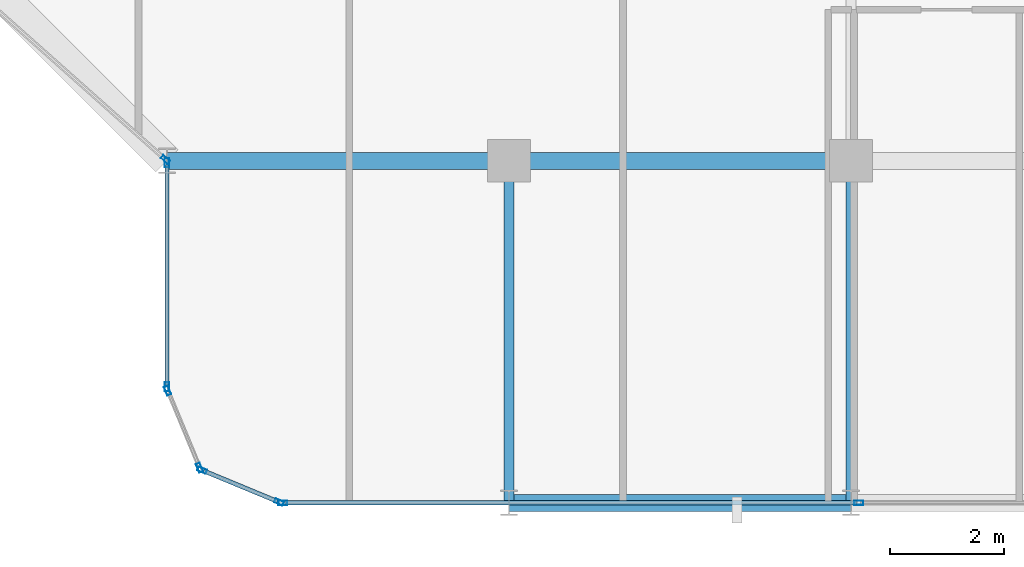
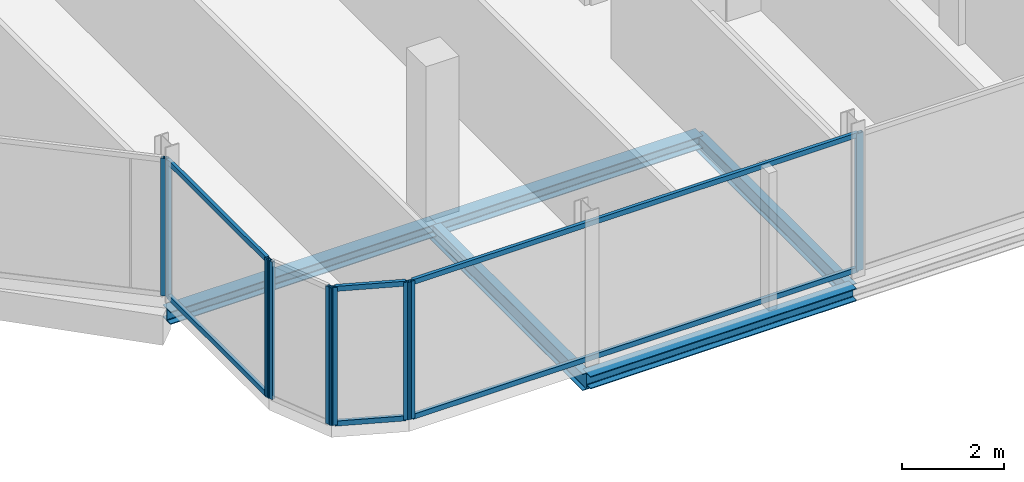
# One storey, part 6 of 28: 15 members, 5 beams, 5 elements without a shape of their own.
"""IFC4 building model written with IfcOpenShell, lengths in metres."""

from ifc_helpers import new_model, si_unit, direction, frame, origin, origin_2d, place, context, subcontext, project, spatial, hollow_rectangle, i_section, extrude, material, layer, layer_set, material_profile, profile_set, type_object, element, aggregate, save


model = new_model("IFC4")

# Units and contexts
model_context = context("Model", 3, precision=1e-05, world=origin(), true_north=direction((0.0, 1.0)))
body_context = subcontext(model_context, "Body", "Model", "MODEL_VIEW")
ifc_project = project(units=[si_unit("LENGTHUNIT", "METRE"), si_unit("AREAUNIT", "SQUARE_METRE"), si_unit("VOLUMEUNIT", "CUBIC_METRE"), si_unit("PLANEANGLEUNIT", "RADIAN"), si_unit("MASSUNIT", "GRAM", prefix="KILO")], contexts=[model_context])

# Site, building, storey
site_placement = place(None, origin())
site = spatial("IfcSite", under=ifc_project, at=site_placement, CompositionType="ELEMENT")
building_placement = place(site_placement, origin())
building = spatial("IfcBuilding", under=site, at=building_placement, Name="Keshet Zoharim Tower", CompositionType="ELEMENT")
storey_placement = place(building_placement, frame((0.0, 0.0, 233.89990234375)))
storey = spatial("IfcBuildingStorey", under=building, at=storey_placement, Name="L58", CompositionType="ELEMENT", Elevation=233.89990234375)

# Beams
ifc_material_1 = material(Name="Steel S355", Category="steel")
ifc_material_profile_1 = material_profile(ifc_material_1, i_section(OverallWidth=0.300048828125, OverallDepth=0.300048828125, WebThickness=0.010986328125, FlangeThickness=0.01904296875, FilletRadius=0.027099609375, at=origin_2d()), Name="HEB300")
ifc_profile_set_1 = profile_set([ifc_material_profile_1], Name="Steel S355")
beam_type_1 = type_object("IfcBeamType", Name="BM-PRI-HB300", PredefinedType="BEAM", material=ifc_profile_set_1)
for number, where, z_axis, x_axis, name in (
    (1, (27.0, 0.699951171875, -0.4599609375), (1.0, 0.0, 0.0), (0.0, 1.0, 0.0), "L58 Primary Girder X-001"),
    (2, (21.0, 6.699951171875, -0.4599609375), (1.0, 0.0, 0.0), (0.0, 1.0, 0.0), "L58 Primary Girder X-005"),
    (3, (27.0, 6.699951171875, -0.4599609375), (1.0, 0.0, 0.0), (0.0, 1.0, 0.0), "L58 Primary Girder X-006"),
):
    element("IfcBeam", number, at=place(storey_placement, frame(where, z_axis=z_axis, x_axis=x_axis)), inside=storey, type_object=beam_type_1, Name=name, PredefinedType="BEAM", context=body_context, shape_type="SweptSolid", body=[
        extrude(i_section(OverallWidth=0.300048828125, OverallDepth=0.300048828125, WebThickness=0.010986328125, FlangeThickness=0.01904296875, FilletRadius=0.027099609375, at=origin_2d()), origin(), (0.0, 0.0, 1.0), 6.0),
    ])
ifc_material_profile_2 = material_profile(ifc_material_1, i_section(OverallWidth=0.179931640625, OverallDepth=0.39990234375, WebThickness=0.008544921875, FlangeThickness=0.013427734375, FilletRadius=0.02099609375, at=origin_2d()), Name="IPE400")
ifc_profile_set_2 = profile_set([ifc_material_profile_2], Name="Steel S355")
beam_type_2 = type_object("IfcBeamType", Name="BM-PRI-IP400", PredefinedType="BEAM", material=ifc_profile_set_2)
for number, where, z_axis, x_axis, name in (
    (4, (27.0, 0.699951171875, -0.510009765625), (0.0, 1.0, 0.0), (-1.0, 0.0, 0.0), "L58 Primary Girder Y-004"),
    (5, (33.0, 0.699951171875, -0.510009765625), (0.0, 1.0, 0.0), (-1.0, 0.0, 0.0), "L58 Primary Girder Y-005"),
):
    element("IfcBeam", number, at=place(storey_placement, frame(where, z_axis=z_axis, x_axis=x_axis)), inside=storey, type_object=beam_type_2, Name=name, PredefinedType="BEAM", context=body_context, shape_type="SweptSolid", body=[
        extrude(i_section(OverallWidth=0.179931640625, OverallDepth=0.39990234375, WebThickness=0.008544921875, FlangeThickness=0.013427734375, FilletRadius=0.02099609375, at=origin_2d()), origin(), (0.0, 0.0, 1.0), 6.0),
    ])

# Curtain wall, members
ifc_material_2 = material(Name="Aluminium 6063-T6", Category="aluminium")
ifc_layer = layer(ifc_material_2, 0.139892578125)
ifc_layer_set = layer_set([ifc_layer], Name="Aluminium 6063-T6")
curtain_wall_type = type_object("IfcCurtainWallType", Name="CW-SYS-05", PredefinedType="NOTDEFINED", material=ifc_layer_set)
curtain_wall_1_placement = place(storey_placement, origin())
curtain_wall_1 = element("IfcCurtainWall", 6, at=curtain_wall_1_placement, inside=storey, type_object=curtain_wall_type, Name="L58 Unitised Curtain Wall 06 Part 3", PredefinedType="NOTDEFINED")
ifc_material_profile_3 = material_profile(ifc_material_2, hollow_rectangle(XDim=0.074951171875, YDim=0.159912109375, WallThickness=0.00390625, at=origin_2d()), Name="MUL-75x160")
ifc_profile_set_3 = profile_set([ifc_material_profile_3], Name="Aluminium 6063-T6")
member_type_1 = type_object("IfcMemberType", Name="CWM-M15", PredefinedType="MULLION", material=ifc_profile_set_3)
member_1_placement = place(storey_placement, frame((33.137939453125, 0.699951171875, 0.0), z_axis=(0.0, 0.0, 1.0), x_axis=(0.0, -1.0, 0.0)))
member_1 = element("IfcMember", 7, at=member_1_placement, type_object=member_type_1, Name="CW-05 mullion 2", PredefinedType="MULLION", context=body_context, shape_type="SweptSolid", body=[
    extrude(hollow_rectangle(XDim=0.074951171875, YDim=0.159912109375, WallThickness=0.00390625, at=origin_2d()), origin(), (0.0, 0.0, 1.0), 3.280029296875),
])
member_2_placement = place(storey_placement, frame((23.034912109375, 0.699951171875, 0.0), z_axis=(0.0, 0.0, 1.0), x_axis=(0.0, -1.0, 0.0)))
member_2 = element("IfcMember", 8, at=member_2_placement, type_object=member_type_1, Name="CW-05 mullion 3", PredefinedType="MULLION", context=body_context, shape_type="SweptSolid", body=[
    extrude(hollow_rectangle(XDim=0.074951171875, YDim=0.159912109375, WallThickness=0.00390625, at=origin_2d()), origin(), (0.0, 0.0, 1.0), 3.280029296875),
])

curtain_wall_2_placement = place(storey_placement, origin())
curtain_wall_2 = element("IfcCurtainWall", 9, at=curtain_wall_2_placement, inside=storey, type_object=curtain_wall_type, Name="L58 Unitised Curtain Wall 07", PredefinedType="NOTDEFINED")
member_3_placement = place(storey_placement, frame((22.9677734375, 0.71337890625, 0.0), z_axis=(0.0, 0.0, 1.0), x_axis=(-0.382851849847, -0.92380975372, 0.0)))
member_3 = element("IfcMember", 10, at=member_3_placement, type_object=member_type_1, Name="CW-05 mullion 1", PredefinedType="MULLION", context=body_context, shape_type="SweptSolid", body=[
    extrude(hollow_rectangle(XDim=0.074951171875, YDim=0.159912109375, WallThickness=0.00390625, at=origin_2d()), origin(), (0.0, 0.0, 1.0), 3.280029296875),
])
member_4_placement = place(storey_placement, frame((21.618408203125, 1.272705078125, 0.0), z_axis=(0.0, 0.0, 1.0), x_axis=(-0.382851849847, -0.92380975372, 0.0)))
member_4 = element("IfcMember", 11, at=member_4_placement, type_object=member_type_1, Name="CW-05 mullion 2", PredefinedType="MULLION", context=body_context, shape_type="SweptSolid", body=[
    extrude(hollow_rectangle(XDim=0.074951171875, YDim=0.159912109375, WallThickness=0.00390625, at=origin_2d()), origin(), (0.0, 0.0, 1.0), 3.280029296875),
])

curtain_wall_3_placement = place(storey_placement, origin())
curtain_wall_3 = element("IfcCurtainWall", 12, at=curtain_wall_3_placement, inside=storey, type_object=curtain_wall_type, Name="L58 Unitised Curtain Wall 08", PredefinedType="NOTDEFINED")
member_5_placement = place(storey_placement, frame((21.572509765625, 1.318359375, 0.0), z_axis=(0.0, 0.0, 1.0), x_axis=(-0.92380975372, -0.382851849847, 0.0)))
member_5 = element("IfcMember", 13, at=member_5_placement, type_object=member_type_1, Name="CW-05 mullion 1", PredefinedType="MULLION", context=body_context, shape_type="SweptSolid", body=[
    extrude(hollow_rectangle(XDim=0.074951171875, YDim=0.159912109375, WallThickness=0.00390625, at=origin_2d()), origin(), (0.0, 0.0, 1.0), 3.280029296875),
])
member_6_placement = place(storey_placement, frame((21.013427734375, 2.667724609375, 0.0), z_axis=(0.0, 0.0, 1.0), x_axis=(-0.92380975372, -0.382851849847, 0.0)))
member_6 = element("IfcMember", 14, at=member_6_placement, type_object=member_type_1, Name="CW-05 mullion 2", PredefinedType="MULLION", context=body_context, shape_type="SweptSolid", body=[
    extrude(hollow_rectangle(XDim=0.074951171875, YDim=0.159912109375, WallThickness=0.00390625, at=origin_2d()), origin(), (0.0, 0.0, 1.0), 3.280029296875),
])
aggregate(curtain_wall_3, [member_5, member_6])

curtain_wall_4_placement = place(storey_placement, origin())
curtain_wall_4 = element("IfcCurtainWall", 15, at=curtain_wall_4_placement, inside=storey, type_object=curtain_wall_type, Name="L58 Unitised Curtain Wall 09", PredefinedType="NOTDEFINED")
member_7_placement = place(storey_placement, frame((21.0, 2.735107421875, 0.0), z_axis=(0.0, 0.0, 1.0), x_axis=(-1.0, 0.0, 0.0)))
member_7 = element("IfcMember", 16, at=member_7_placement, type_object=member_type_1, Name="CW-05 mullion 1", PredefinedType="MULLION", context=body_context, shape_type="SweptSolid", body=[
    extrude(hollow_rectangle(XDim=0.074951171875, YDim=0.159912109375, WallThickness=0.00390625, at=origin_2d()), origin(), (0.0, 0.0, 1.0), 3.280029296875),
])
member_8_placement = place(storey_placement, frame((21.0, 6.6650390625, 0.0), z_axis=(0.0, 0.0, 1.0), x_axis=(-1.0, 0.0, 0.0)))
member_8 = element("IfcMember", 17, at=member_8_placement, type_object=member_type_1, Name="CW-05 mullion 2", PredefinedType="MULLION", context=body_context, shape_type="SweptSolid", body=[
    extrude(hollow_rectangle(XDim=0.074951171875, YDim=0.159912109375, WallThickness=0.00390625, at=origin_2d()), origin(), (0.0, 0.0, 1.0), 3.280029296875),
])

# Curtain wall, member
curtain_wall_5_placement = place(storey_placement, origin())
curtain_wall_5 = element("IfcCurtainWall", 18, at=curtain_wall_5_placement, inside=storey, type_object=curtain_wall_type, Name="L58 Unitised Curtain Wall 10", PredefinedType="NOTDEFINED")
member_9_placement = place(storey_placement, frame((20.973876953125, 6.72314453125, 0.0), z_axis=(0.0, 0.0, 1.0), x_axis=(-0.664366849455, -0.747406642562, 0.0)))
member_9 = element("IfcMember", 19, at=member_9_placement, type_object=member_type_1, Name="CW-05 mullion 1", PredefinedType="MULLION", context=body_context, shape_type="SweptSolid", body=[
    extrude(hollow_rectangle(XDim=0.074951171875, YDim=0.159912109375, WallThickness=0.00390625, at=origin_2d()), origin(), (0.0, 0.0, 1.0), 3.280029296875),
])
aggregate(curtain_wall_5, [member_9])

# Member
ifc_material_profile_4 = material_profile(ifc_material_2, hollow_rectangle(XDim=0.074951171875, YDim=0.1201171875, WallThickness=0.00390625, at=origin_2d()), Name="TRN-75x120")
ifc_profile_set_4 = profile_set([ifc_material_profile_4], Name="Aluminium 6063-T6")
member_type_2 = type_object("IfcMemberType", Name="CWT-T12", PredefinedType="USERDEFINED", material=ifc_profile_set_4)
member_10_placement = place(storey_placement, frame((33.10302734375, 0.699951171875, 0.03515625), z_axis=(-1.0, 0.0, 0.0), x_axis=(0.0, -1.0, 0.0)))
member_10 = element("IfcMember", 20, at=member_10_placement, type_object=member_type_2, Name="CW-05 transom 2.1", ObjectType="TRANSOM", PredefinedType="USERDEFINED", context=body_context, shape_type="SweptSolid", body=[
    extrude(hollow_rectangle(XDim=0.074951171875, YDim=0.1201171875, WallThickness=0.00390625, at=origin_2d()), origin(), (0.0, 0.0, 1.0), 10.032958984375),
])

member_11_placement = place(storey_placement, frame((33.10302734375, 0.699951171875, 3.2451171875), z_axis=(-1.0, 0.0, 0.0), x_axis=(0.0, -1.0, 0.0)))
member_11 = element("IfcMember", 21, at=member_11_placement, type_object=member_type_2, Name="CW-05 transom 2.2", ObjectType="TRANSOM", PredefinedType="USERDEFINED", context=body_context, shape_type="SweptSolid", body=[
    extrude(hollow_rectangle(XDim=0.074951171875, YDim=0.1201171875, WallThickness=0.00390625, at=origin_2d()), origin(), (0.0, 0.0, 1.0), 10.032958984375),
])

aggregate(curtain_wall_1, [member_1, member_2, member_10, member_11])

member_12_placement = place(storey_placement, frame((22.935302734375, 0.726806640625, 0.03515625), z_axis=(-0.92379209995, 0.382894445076, 0.0), x_axis=(-0.382894445076, -0.92379209995, 0.0)))
member_12 = element("IfcMember", 22, at=member_12_placement, type_object=member_type_2, Name="CW-05 transom 1.1", ObjectType="TRANSOM", PredefinedType="USERDEFINED", context=body_context, shape_type="SweptSolid", body=[
    extrude(hollow_rectangle(XDim=0.074951171875, YDim=0.1201171875, WallThickness=0.00390625, at=origin_2d()), origin(), (0.0, 0.0, 1.0), 1.390625),
])

member_13_placement = place(storey_placement, frame((22.935302734375, 0.726806640625, 3.2451171875), z_axis=(-0.92379209995, 0.382894445076, 0.0), x_axis=(-0.382894445076, -0.92379209995, 0.0)))
member_13 = element("IfcMember", 23, at=member_13_placement, type_object=member_type_2, Name="CW-05 transom 1.2", ObjectType="TRANSOM", PredefinedType="USERDEFINED", context=body_context, shape_type="SweptSolid", body=[
    extrude(hollow_rectangle(XDim=0.074951171875, YDim=0.1201171875, WallThickness=0.00390625, at=origin_2d()), origin(), (0.0, 0.0, 1.0), 1.390625),
])

aggregate(curtain_wall_2, [member_3, member_4, member_12, member_13])

member_14_placement = place(storey_placement, frame((21.0, 2.77001953125, 0.03515625), z_axis=(0.0, 1.0, 0.0), x_axis=(-1.0, 0.0, 0.0)))
member_14 = element("IfcMember", 24, at=member_14_placement, type_object=member_type_2, Name="CW-05 transom 1.1", ObjectType="TRANSOM", PredefinedType="USERDEFINED", context=body_context, shape_type="SweptSolid", body=[
    extrude(hollow_rectangle(XDim=0.074951171875, YDim=0.1201171875, WallThickness=0.00390625, at=origin_2d()), origin(), (0.0, 0.0, 1.0), 3.85986328125),
])

member_15_placement = place(storey_placement, frame((21.0, 2.77001953125, 3.2451171875), z_axis=(0.0, 1.0, 0.0), x_axis=(-1.0, 0.0, 0.0)))
member_15 = element("IfcMember", 25, at=member_15_placement, type_object=member_type_2, Name="CW-05 transom 1.2", ObjectType="TRANSOM", PredefinedType="USERDEFINED", context=body_context, shape_type="SweptSolid", body=[
    extrude(hollow_rectangle(XDim=0.074951171875, YDim=0.1201171875, WallThickness=0.00390625, at=origin_2d()), origin(), (0.0, 0.0, 1.0), 3.85986328125),
])

aggregate(curtain_wall_4, [member_7, member_8, member_14, member_15])

save(model, "model.ifc")
